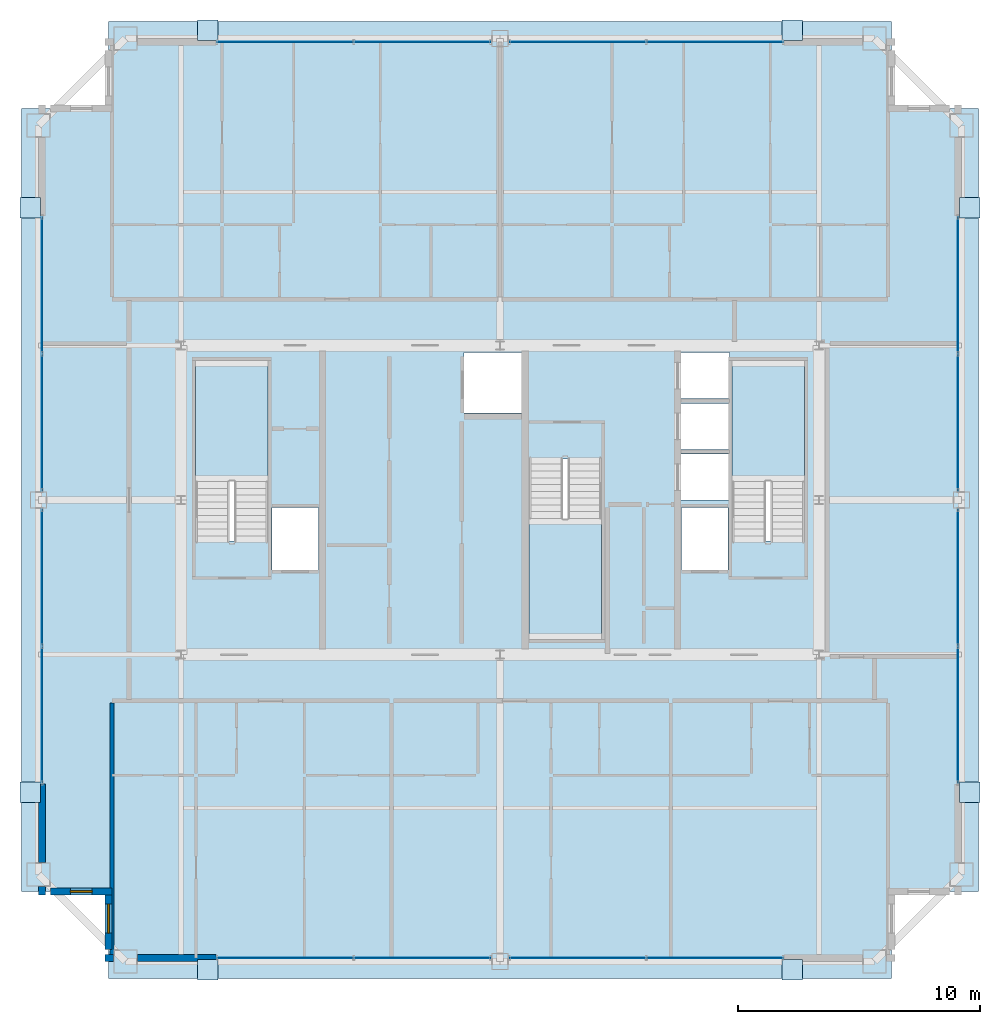
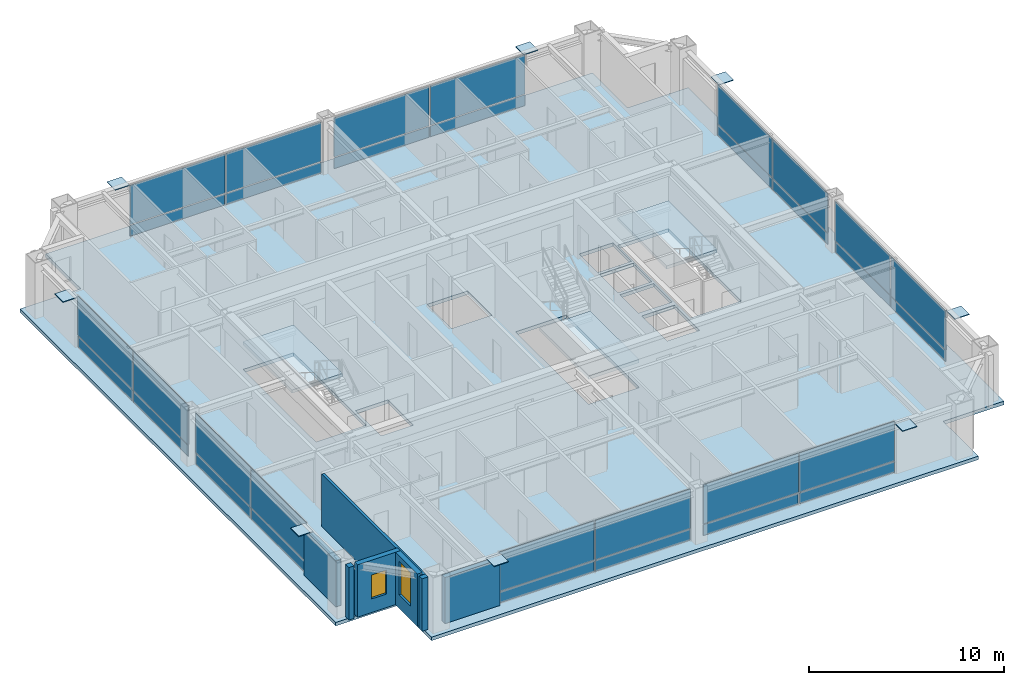
# One storey, part 29 of 35: 40 plates, 7 walls, 4 slabs, 2 windows, 2 openings, 11 elements without a shape of their own.
"""IFC4 building model written with IfcOpenShell, lengths in metres."""

from ifc_helpers import new_model, si_unit, direction, frame, frame_2d, origin, origin_2d, place, context, subcontext, project, spatial, polyline, rectangle, outline, extrude, source, transform, mapped, material, layer, layer_set, type_object, element, fill, aggregate, save


model = new_model("IFC4")

# Units and contexts
model_context = context("Model", 3, precision=1e-05, world=origin(), true_north=direction((0.0, 1.0)))
body_context = subcontext(model_context, "Body", "Model", "MODEL_VIEW")
ifc_project = project(units=[si_unit("LENGTHUNIT", "METRE"), si_unit("AREAUNIT", "SQUARE_METRE"), si_unit("VOLUMEUNIT", "CUBIC_METRE"), si_unit("PLANEANGLEUNIT", "RADIAN"), si_unit("MASSUNIT", "GRAM", prefix="KILO"), si_unit("THERMODYNAMICTEMPERATUREUNIT", "KELVIN"), si_unit("POWERUNIT", "WATT")], contexts=[model_context])

# Site, building, storey
site_placement = place(None, origin())
site = spatial("IfcSite", under=ifc_project, at=site_placement, CompositionType="ELEMENT")
building_placement = place(site_placement, origin())
building = spatial("IfcBuilding", under=site, at=building_placement, Name="Yuzanri Waterfront Tower", CompositionType="ELEMENT")
storey_placement = place(building_placement, frame((0.0, 0.0, 332.199951171875)))
storey = spatial("IfcBuildingStorey", under=building, at=storey_placement, Name="L89", CompositionType="ELEMENT", Elevation=332.199951171875)

# Stair, slab
ifc_material_1 = material(Name="Concrete C40", Category="concrete")
stair_type = type_object("IfcStairType", Name="Concrete C40 Core Dogleg Exit Stair", PredefinedType="HALF_TURN_STAIR", material=ifc_material_1)
stair_1_placement = place(storey_placement, origin())
stair_1 = element("IfcStair", 1, at=stair_1_placement, inside=storey, type_object=stair_type, Name="L89 Smoke-Proof Core Stair ST-01", PredefinedType="HALF_TURN_STAIR")
ifc_material_2 = material(Name="Concrete C40", Category="concrete")
ifc_layer_1 = layer(ifc_material_2, 0.179931640625)
ifc_layer_set_1 = layer_set([ifc_layer_1], Name="Concrete C40")
slab_type_1 = type_object("IfcSlabType", Name="Concrete C40 Stair Half-Landing Slab 180", PredefinedType="LANDING", material=ifc_layer_set_1)
slab_1_placement = place(storey_placement, frame((0.0, 0.0, 1.550048828125)))
slab_1 = element("IfcSlab", 2, at=slab_1_placement, type_object=slab_type_1, Name="ST-01 landing 1", PredefinedType="LANDING", context=body_context, shape_type="SweptSolid", body=[
    extrude(outline(polyline([(27.39990234375, 26.56005859375), (27.39990234375, 31.580078125), (24.39990234375, 31.580078125), (24.39990234375, 26.56005859375), (27.39990234375, 26.56005859375)])), origin(), (0.0, 0.0, 1.0), 0.199951171875),
])
aggregate(stair_1, [slab_1])

stair_2_placement = place(storey_placement, origin())
stair_2 = element("IfcStair", 3, at=stair_2_placement, inside=storey, type_object=stair_type, Name="L89 Smoke-Proof Core Stair ST-02", PredefinedType="HALF_TURN_STAIR")
slab_2_placement = place(storey_placement, frame((0.0, 0.0, 1.550048828125)))
slab_2 = element("IfcSlab", 4, at=slab_2_placement, type_object=slab_type_1, Name="ST-02 landing 1", PredefinedType="LANDING", context=body_context, shape_type="SweptSolid", body=[
    extrude(outline(polyline([(49.60009765625, 26.56005859375), (49.60009765625, 31.580078125), (46.60009765625, 31.580078125), (46.60009765625, 26.56005859375), (49.60009765625, 26.56005859375)])), origin(), (0.0, 0.0, 1.0), 0.199951171875),
])
aggregate(stair_2, [slab_2])

stair_3_placement = place(storey_placement, origin())
stair_3 = element("IfcStair", 5, at=stair_3_placement, inside=storey, type_object=stair_type, Name="L89 Smoke-Proof Core Stair ST-03", PredefinedType="HALF_TURN_STAIR")
slab_3_placement = place(storey_placement, frame((0.0, 0.0, 1.550048828125)))
slab_3 = element("IfcSlab", 6, at=slab_3_placement, type_object=slab_type_1, Name="ST-03 landing 1", PredefinedType="LANDING", context=body_context, shape_type="SweptSolid", body=[
    extrude(outline(polyline([(38.199951171875, 25.0400390625), (38.199951171875, 20.02001953125), (41.199951171875, 20.02001953125), (41.199951171875, 25.0400390625), (38.199951171875, 25.0400390625)])), origin(), (0.0, 0.0, 1.0), 0.199951171875),
])
aggregate(stair_3, [slab_3])

# Slab
ifc_material_3 = material(Name="Concrete C40", Category="concrete")
ifc_layer_2 = layer(ifc_material_3, 0.219970703125)
ifc_layer_set_2 = layer_set([ifc_layer_2], Name="Concrete C40")
slab_type_2 = type_object("IfcSlabType", Name="Concrete C40 Tower Typical Structural Floor Slab 220", PredefinedType="FLOOR", material=ifc_layer_set_2)
slab_4_placement = place(storey_placement, frame((0.0, 0.0, -0.219970703125)))
element("IfcSlab", 7, at=slab_4_placement, inside=storey, type_object=slab_type_2, Name="L89 Main Structural Floor Slab", PredefinedType="FLOOR", context=body_context, shape_type="SweptSolid", body=[
    extrude(outline(polyline([(20.800048828125, 6.0), (53.199951171875, 6.0), (53.199951171875, 9.60009765625), (56.800048828125, 9.60009765625), (56.800048828125, 42.0), (53.199951171875, 42.0), (53.199951171875, 45.60009765625), (20.800048828125, 45.60009765625), (20.800048828125, 42.0), (17.199951171875, 42.0), (17.199951171875, 9.60009765625), (20.800048828125, 9.60009765625), (20.800048828125, 6.0)]), holes=[polyline([(27.39990234375, 24.10009765625), (27.39990234375, 31.580078125), (24.39990234375, 31.580078125), (24.39990234375, 24.10009765625), (27.39990234375, 24.10009765625)]), polyline([(49.60009765625, 24.10009765625), (49.60009765625, 31.580078125), (46.60009765625, 31.580078125), (46.60009765625, 24.10009765625), (49.60009765625, 24.10009765625)]), polyline([(38.199951171875, 27.5), (38.199951171875, 20.02001953125), (41.199951171875, 20.02001953125), (41.199951171875, 27.5), (38.199951171875, 27.5)]), polyline([(27.56005859375, 22.89990234375), (29.47998046875, 22.89990234375), (29.47998046875, 25.5), (27.56005859375, 25.5), (27.56005859375, 22.89990234375)]), polyline([(44.52001953125, 22.89990234375), (46.43994140625, 22.89990234375), (46.43994140625, 25.5), (44.52001953125, 25.5), (44.52001953125, 22.89990234375)]), polyline([(35.5, 29.39990234375), (37.89990234375, 29.39990234375), (37.89990234375, 31.89990234375), (35.5, 31.89990234375), (35.5, 29.39990234375)]), polyline([(44.5, 25.800048828125), (46.5, 25.800048828125), (46.5, 27.699951171875), (44.5, 27.699951171875), (44.5, 25.800048828125)]), polyline([(44.5, 27.89990234375), (46.5, 27.89990234375), (46.5, 29.800048828125), (44.5, 29.800048828125), (44.5, 27.89990234375)]), polyline([(44.5, 30.0), (46.5, 30.0), (46.5, 31.89990234375), (44.5, 31.89990234375), (44.5, 30.0)])]), origin(), (0.0, 0.0, 1.0), 0.219970703125),
])

# Plates
ifc_material_4 = material(Name="Steel Q420GJC", Category="steel")
ifc_layer_3 = layer(ifc_material_4, 0.0400390625)
ifc_layer_set_3 = layer_set([ifc_layer_3], Name="Steel Q420GJC")
plate_type_1 = type_object("IfcPlateType", Name="Steel Q420GJC Mega-Brace Gusset and End-Cap Plate 40", PredefinedType="SHEET", material=ifc_layer_set_3)
shared_shape_1 = source(origin(), body_context, "Body", "SweptSolid", [
    extrude(rectangle(XDim=0.85009765625, YDim=0.85009765625, at=origin_2d()), origin(), (0.0, 0.0, 1.0), 0.0400390625),
])
for number, where, z_axis, x_axis, name in (
    (8, (24.89990234375, 6.360107421875, 3.159912109375), (0.0, 0.0, 1.0), (1.0, 0.0, 0.0), "L89 Mega-Brace Apex Cap Plate S-L"),
    (9, (49.10009765625, 6.360107421875, 3.159912109375), (0.0, 0.0, 1.0), (1.0, 0.0, 0.0), "L89 Mega-Brace Apex Cap Plate S-R"),
    (10, (24.89990234375, 45.239990234375, 3.159912109375), (0.0, 0.0, 1.0), (1.0, 0.0, 0.0), "L89 Mega-Brace Apex Cap Plate N-L"),
    (11, (49.10009765625, 45.239990234375, 3.159912109375), (0.0, 0.0, 1.0), (1.0, 0.0, 0.0), "L89 Mega-Brace Apex Cap Plate N-R"),
    (12, (17.56005859375, 13.699951171875, 3.159912109375), (0.0, 0.0, 1.0), (1.0, 0.0, 0.0), "L89 Mega-Brace Apex Cap Plate W-L"),
    (13, (17.56005859375, 37.89990234375, 3.159912109375), (0.0, 0.0, 1.0), (1.0, 0.0, 0.0), "L89 Mega-Brace Apex Cap Plate W-R"),
    (14, (56.43994140625, 13.699951171875, 3.159912109375), (0.0, 0.0, 1.0), (1.0, 0.0, 0.0), "L89 Mega-Brace Apex Cap Plate E-L"),
    (15, (56.43994140625, 37.89990234375, 3.159912109375), (0.0, 0.0, 1.0), (1.0, 0.0, 0.0), "L89 Mega-Brace Apex Cap Plate E-R"),
):
    element("IfcPlate", number, at=place(storey_placement, frame(where, z_axis=z_axis, x_axis=x_axis)), inside=storey, type_object=plate_type_1, Name=name, PredefinedType="SHEET", context=body_context, shape_type="MappedRepresentation", body=[
        mapped(shared_shape_1, transform((0.0, 0.0, 0.0), scale=1.0)),
    ])

# Curtain wall, plates
ifc_material_5 = material(Name="Anodized Architectural Bronze", Category="metal")
ifc_layer_4 = layer(ifc_material_5, 0.159912109375)
ifc_layer_set_4 = layer_set([ifc_layer_4], Name="Anodized Architectural Bronze")
curtain_wall_type = type_object("IfcCurtainWallType", Name="Anodized Bronze High-Rise Penthouse High-Wind Unitized Curtain Wall 6900", PredefinedType="NOTDEFINED", material=ifc_layer_set_4)
curtain_wall_1_placement = place(storey_placement, origin())
curtain_wall_1 = element("IfcCurtainWall", 16, at=curtain_wall_1_placement, inside=storey, type_object=curtain_wall_type, Name="L89 Curtain Wall CW-L89-SL", PredefinedType="NOTDEFINED")
ifc_material_6 = material(Name="Anodized Architectural Bronze", Category="metal")
ifc_layer_5 = layer(ifc_material_6, 0.028076171875)
ifc_layer_set_5 = layer_set([ifc_layer_5], Name="Anodized Architectural Bronze")
plate_type_2 = type_object("IfcPlateType", Name="Bronze Insulated Spandrel Shadow-Box Panel 28", PredefinedType="CURTAIN_PANEL", material=ifc_layer_set_5)
shared_shape_2 = source(origin(), body_context, "Body", "SweptSolid", [
    extrude(rectangle(XDim=5.6201171875, YDim=0.028076171875, at=origin_2d()), origin(), (0.0, 0.0, 1.0), 0.674072265625),
])
plate_1_placement = place(storey_placement, frame((28.10009765625, 6.85009765625, 0.0498046875), z_axis=(0.0, 0.0, 1.0), x_axis=(1.0, 0.0, 0.0)))
plate_1 = element("IfcPlate", 17, at=plate_1_placement, type_object=plate_type_2, Name="CW-L89-SL Spandrel Panel 01", PredefinedType="CURTAIN_PANEL", context=body_context, shape_type="MappedRepresentation", body=[
    mapped(shared_shape_2, transform((0.0, 0.0, 0.0), scale=1.0)),
])
plate_2_placement = place(storey_placement, frame((33.800048828125, 6.85009765625, 0.0498046875), z_axis=(0.0, 0.0, 1.0), x_axis=(1.0, 0.0, 0.0)))
plate_2 = element("IfcPlate", 18, at=plate_2_placement, type_object=plate_type_2, Name="CW-L89-SL Spandrel Panel 02", PredefinedType="CURTAIN_PANEL", context=body_context, shape_type="MappedRepresentation", body=[
    mapped(shared_shape_2, transform((0.0, 0.0, 0.0), scale=1.0)),
])

curtain_wall_2_placement = place(storey_placement, origin())
curtain_wall_2 = element("IfcCurtainWall", 19, at=curtain_wall_2_placement, inside=storey, type_object=curtain_wall_type, Name="L89 Curtain Wall CW-L89-SR", PredefinedType="NOTDEFINED")
plate_3_placement = place(storey_placement, frame((40.199951171875, 6.85009765625, 0.0498046875), z_axis=(0.0, 0.0, 1.0), x_axis=(1.0, 0.0, 0.0)))
plate_3 = element("IfcPlate", 20, at=plate_3_placement, type_object=plate_type_2, Name="CW-L89-SR Spandrel Panel 01", PredefinedType="CURTAIN_PANEL", context=body_context, shape_type="MappedRepresentation", body=[
    mapped(shared_shape_2, transform((0.0, 0.0, 0.0), scale=1.0)),
])
plate_4_placement = place(storey_placement, frame((45.89990234375, 6.85009765625, 0.0498046875), z_axis=(0.0, 0.0, 1.0), x_axis=(1.0, 0.0, 0.0)))
plate_4 = element("IfcPlate", 21, at=plate_4_placement, type_object=plate_type_2, Name="CW-L89-SR Spandrel Panel 02", PredefinedType="CURTAIN_PANEL", context=body_context, shape_type="MappedRepresentation", body=[
    mapped(shared_shape_2, transform((0.0, 0.0, 0.0), scale=1.0)),
])

curtain_wall_3_placement = place(storey_placement, origin())
curtain_wall_3 = element("IfcCurtainWall", 22, at=curtain_wall_3_placement, inside=storey, type_object=curtain_wall_type, Name="L89 Curtain Wall CW-L89-NL", PredefinedType="NOTDEFINED")
plate_5_placement = place(storey_placement, frame((28.10009765625, 44.75, 0.0498046875), z_axis=(0.0, 0.0, 1.0), x_axis=(1.0, 0.0, 0.0)))
plate_5 = element("IfcPlate", 23, at=plate_5_placement, type_object=plate_type_2, Name="CW-L89-NL Spandrel Panel 01", PredefinedType="CURTAIN_PANEL", context=body_context, shape_type="MappedRepresentation", body=[
    mapped(shared_shape_2, transform((0.0, 0.0, 0.0), scale=1.0)),
])
plate_6_placement = place(storey_placement, frame((33.800048828125, 44.75, 0.0498046875), z_axis=(0.0, 0.0, 1.0), x_axis=(1.0, 0.0, 0.0)))
plate_6 = element("IfcPlate", 24, at=plate_6_placement, type_object=plate_type_2, Name="CW-L89-NL Spandrel Panel 02", PredefinedType="CURTAIN_PANEL", context=body_context, shape_type="MappedRepresentation", body=[
    mapped(shared_shape_2, transform((0.0, 0.0, 0.0), scale=1.0)),
])

curtain_wall_4_placement = place(storey_placement, origin())
curtain_wall_4 = element("IfcCurtainWall", 25, at=curtain_wall_4_placement, inside=storey, type_object=curtain_wall_type, Name="L89 Curtain Wall CW-L89-NR", PredefinedType="NOTDEFINED")
plate_7_placement = place(storey_placement, frame((40.199951171875, 44.75, 0.0498046875), z_axis=(0.0, 0.0, 1.0), x_axis=(1.0, 0.0, 0.0)))
plate_7 = element("IfcPlate", 26, at=plate_7_placement, type_object=plate_type_2, Name="CW-L89-NR Spandrel Panel 01", PredefinedType="CURTAIN_PANEL", context=body_context, shape_type="MappedRepresentation", body=[
    mapped(shared_shape_2, transform((0.0, 0.0, 0.0), scale=1.0)),
])
plate_8_placement = place(storey_placement, frame((45.89990234375, 44.75, 0.0498046875), z_axis=(0.0, 0.0, 1.0), x_axis=(1.0, 0.0, 0.0)))
plate_8 = element("IfcPlate", 27, at=plate_8_placement, type_object=plate_type_2, Name="CW-L89-NR Spandrel Panel 02", PredefinedType="CURTAIN_PANEL", context=body_context, shape_type="MappedRepresentation", body=[
    mapped(shared_shape_2, transform((0.0, 0.0, 0.0), scale=1.0)),
])

curtain_wall_5_placement = place(storey_placement, origin())
curtain_wall_5 = element("IfcCurtainWall", 28, at=curtain_wall_5_placement, inside=storey, type_object=curtain_wall_type, Name="L89 Curtain Wall CW-L89-WL", PredefinedType="NOTDEFINED")
plate_9_placement = place(storey_placement, frame((18.050048828125, 16.89990234375, 0.0498046875), z_axis=(0.0, 0.0, 1.0), x_axis=(0.0, 1.0, 0.0)))
plate_9 = element("IfcPlate", 29, at=plate_9_placement, type_object=plate_type_2, Name="CW-L89-WL Spandrel Panel 01", PredefinedType="CURTAIN_PANEL", context=body_context, shape_type="MappedRepresentation", body=[
    mapped(shared_shape_2, transform((0.0, 0.0, 0.0), scale=1.0)),
])
plate_10_placement = place(storey_placement, frame((18.050048828125, 22.60009765625, 0.0498046875), z_axis=(0.0, 0.0, 1.0), x_axis=(0.0, 1.0, 0.0)))
plate_10 = element("IfcPlate", 30, at=plate_10_placement, type_object=plate_type_2, Name="CW-L89-WL Spandrel Panel 02", PredefinedType="CURTAIN_PANEL", context=body_context, shape_type="MappedRepresentation", body=[
    mapped(shared_shape_2, transform((0.0, 0.0, 0.0), scale=1.0)),
])

curtain_wall_6_placement = place(storey_placement, origin())
curtain_wall_6 = element("IfcCurtainWall", 31, at=curtain_wall_6_placement, inside=storey, type_object=curtain_wall_type, Name="L89 Curtain Wall CW-L89-WR", PredefinedType="NOTDEFINED")
plate_11_placement = place(storey_placement, frame((18.050048828125, 29.0, 0.0498046875), z_axis=(0.0, 0.0, 1.0), x_axis=(0.0, 1.0, 0.0)))
plate_11 = element("IfcPlate", 32, at=plate_11_placement, type_object=plate_type_2, Name="CW-L89-WR Spandrel Panel 01", PredefinedType="CURTAIN_PANEL", context=body_context, shape_type="MappedRepresentation", body=[
    mapped(shared_shape_2, transform((0.0, 0.0, 0.0), scale=1.0)),
])
plate_12_placement = place(storey_placement, frame((18.050048828125, 34.699951171875, 0.0498046875), z_axis=(0.0, 0.0, 1.0), x_axis=(0.0, 1.0, 0.0)))
plate_12 = element("IfcPlate", 33, at=plate_12_placement, type_object=plate_type_2, Name="CW-L89-WR Spandrel Panel 02", PredefinedType="CURTAIN_PANEL", context=body_context, shape_type="MappedRepresentation", body=[
    mapped(shared_shape_2, transform((0.0, 0.0, 0.0), scale=1.0)),
])

curtain_wall_7_placement = place(storey_placement, origin())
curtain_wall_7 = element("IfcCurtainWall", 34, at=curtain_wall_7_placement, inside=storey, type_object=curtain_wall_type, Name="L89 Curtain Wall CW-L89-EL", PredefinedType="NOTDEFINED")
plate_13_placement = place(storey_placement, frame((55.949951171875, 16.89990234375, 0.0498046875), z_axis=(0.0, 0.0, 1.0), x_axis=(0.0, 1.0, 0.0)))
plate_13 = element("IfcPlate", 35, at=plate_13_placement, type_object=plate_type_2, Name="CW-L89-EL Spandrel Panel 01", PredefinedType="CURTAIN_PANEL", context=body_context, shape_type="MappedRepresentation", body=[
    mapped(shared_shape_2, transform((0.0, 0.0, 0.0), scale=1.0)),
])
plate_14_placement = place(storey_placement, frame((55.949951171875, 22.60009765625, 0.0498046875), z_axis=(0.0, 0.0, 1.0), x_axis=(0.0, 1.0, 0.0)))
plate_14 = element("IfcPlate", 36, at=plate_14_placement, type_object=plate_type_2, Name="CW-L89-EL Spandrel Panel 02", PredefinedType="CURTAIN_PANEL", context=body_context, shape_type="MappedRepresentation", body=[
    mapped(shared_shape_2, transform((0.0, 0.0, 0.0), scale=1.0)),
])

curtain_wall_8_placement = place(storey_placement, origin())
curtain_wall_8 = element("IfcCurtainWall", 37, at=curtain_wall_8_placement, inside=storey, type_object=curtain_wall_type, Name="L89 Curtain Wall CW-L89-ER", PredefinedType="NOTDEFINED")
plate_15_placement = place(storey_placement, frame((55.949951171875, 29.0, 0.0498046875), z_axis=(0.0, 0.0, 1.0), x_axis=(0.0, 1.0, 0.0)))
plate_15 = element("IfcPlate", 38, at=plate_15_placement, type_object=plate_type_2, Name="CW-L89-ER Spandrel Panel 01", PredefinedType="CURTAIN_PANEL", context=body_context, shape_type="MappedRepresentation", body=[
    mapped(shared_shape_2, transform((0.0, 0.0, 0.0), scale=1.0)),
])
plate_16_placement = place(storey_placement, frame((55.949951171875, 34.699951171875, 0.0498046875), z_axis=(0.0, 0.0, 1.0), x_axis=(0.0, 1.0, 0.0)))
plate_16 = element("IfcPlate", 39, at=plate_16_placement, type_object=plate_type_2, Name="CW-L89-ER Spandrel Panel 02", PredefinedType="CURTAIN_PANEL", context=body_context, shape_type="MappedRepresentation", body=[
    mapped(shared_shape_2, transform((0.0, 0.0, 0.0), scale=1.0)),
])

# Plate
ifc_material_7 = material(Name="Triple Low-E Laminated Insulated Glass", Category="glass")
ifc_layer_6 = layer(ifc_material_7, 0.0439453125)
ifc_layer_set_6 = layer_set([ifc_layer_6], Name="Triple Low-E Laminated Insulated Glass")
plate_type_3 = type_object("IfcPlateType", Name="Triple Glazed Acoustic Vision Glass Panel 44", PredefinedType="CURTAIN_PANEL", material=ifc_layer_set_6)
shared_shape_3 = source(origin(), body_context, "Body", "SweptSolid", [
    extrude(rectangle(XDim=5.6201171875, YDim=0.0439453125, at=origin_2d()), origin(), (0.0, 0.0, 1.0), 2.446044921875),
])
plate_17_placement = place(storey_placement, frame((28.10009765625, 6.85009765625, 0.7841796875), z_axis=(0.0, 0.0, 1.0), x_axis=(1.0, 0.0, 0.0)))
plate_17 = element("IfcPlate", 40, at=plate_17_placement, type_object=plate_type_3, Name="CW-L89-SL Vision Glass Panel 01", PredefinedType="CURTAIN_PANEL", context=body_context, shape_type="MappedRepresentation", body=[
    mapped(shared_shape_3, transform((0.0, 0.0, 0.0), scale=1.0)),
])

plate_18_placement = place(storey_placement, frame((33.800048828125, 6.85009765625, 0.7841796875), z_axis=(0.0, 0.0, 1.0), x_axis=(1.0, 0.0, 0.0)))
plate_18 = element("IfcPlate", 41, at=plate_18_placement, type_object=plate_type_3, Name="CW-L89-SL Vision Glass Panel 02", PredefinedType="CURTAIN_PANEL", context=body_context, shape_type="MappedRepresentation", body=[
    mapped(shared_shape_3, transform((0.0, 0.0, 0.0), scale=1.0)),
])

aggregate(curtain_wall_1, [plate_1, plate_17, plate_2, plate_18])

plate_19_placement = place(storey_placement, frame((40.199951171875, 6.85009765625, 0.7841796875), z_axis=(0.0, 0.0, 1.0), x_axis=(1.0, 0.0, 0.0)))
plate_19 = element("IfcPlate", 42, at=plate_19_placement, type_object=plate_type_3, Name="CW-L89-SR Vision Glass Panel 01", PredefinedType="CURTAIN_PANEL", context=body_context, shape_type="MappedRepresentation", body=[
    mapped(shared_shape_3, transform((0.0, 0.0, 0.0), scale=1.0)),
])

plate_20_placement = place(storey_placement, frame((45.89990234375, 6.85009765625, 0.7841796875), z_axis=(0.0, 0.0, 1.0), x_axis=(1.0, 0.0, 0.0)))
plate_20 = element("IfcPlate", 43, at=plate_20_placement, type_object=plate_type_3, Name="CW-L89-SR Vision Glass Panel 02", PredefinedType="CURTAIN_PANEL", context=body_context, shape_type="MappedRepresentation", body=[
    mapped(shared_shape_3, transform((0.0, 0.0, 0.0), scale=1.0)),
])

aggregate(curtain_wall_2, [plate_3, plate_19, plate_4, plate_20])

plate_21_placement = place(storey_placement, frame((28.10009765625, 44.75, 0.7841796875), z_axis=(0.0, 0.0, 1.0), x_axis=(1.0, 0.0, 0.0)))
plate_21 = element("IfcPlate", 44, at=plate_21_placement, type_object=plate_type_3, Name="CW-L89-NL Vision Glass Panel 01", PredefinedType="CURTAIN_PANEL", context=body_context, shape_type="MappedRepresentation", body=[
    mapped(shared_shape_3, transform((0.0, 0.0, 0.0), scale=1.0)),
])

plate_22_placement = place(storey_placement, frame((33.800048828125, 44.75, 0.7841796875), z_axis=(0.0, 0.0, 1.0), x_axis=(1.0, 0.0, 0.0)))
plate_22 = element("IfcPlate", 45, at=plate_22_placement, type_object=plate_type_3, Name="CW-L89-NL Vision Glass Panel 02", PredefinedType="CURTAIN_PANEL", context=body_context, shape_type="MappedRepresentation", body=[
    mapped(shared_shape_3, transform((0.0, 0.0, 0.0), scale=1.0)),
])

aggregate(curtain_wall_3, [plate_5, plate_21, plate_6, plate_22])

plate_23_placement = place(storey_placement, frame((40.199951171875, 44.75, 0.7841796875), z_axis=(0.0, 0.0, 1.0), x_axis=(1.0, 0.0, 0.0)))
plate_23 = element("IfcPlate", 46, at=plate_23_placement, type_object=plate_type_3, Name="CW-L89-NR Vision Glass Panel 01", PredefinedType="CURTAIN_PANEL", context=body_context, shape_type="MappedRepresentation", body=[
    mapped(shared_shape_3, transform((0.0, 0.0, 0.0), scale=1.0)),
])

plate_24_placement = place(storey_placement, frame((45.89990234375, 44.75, 0.7841796875), z_axis=(0.0, 0.0, 1.0), x_axis=(1.0, 0.0, 0.0)))
plate_24 = element("IfcPlate", 47, at=plate_24_placement, type_object=plate_type_3, Name="CW-L89-NR Vision Glass Panel 02", PredefinedType="CURTAIN_PANEL", context=body_context, shape_type="MappedRepresentation", body=[
    mapped(shared_shape_3, transform((0.0, 0.0, 0.0), scale=1.0)),
])

aggregate(curtain_wall_4, [plate_7, plate_23, plate_8, plate_24])

plate_25_placement = place(storey_placement, frame((18.050048828125, 16.89990234375, 0.7841796875), z_axis=(0.0, 0.0, 1.0), x_axis=(0.0, 1.0, 0.0)))
plate_25 = element("IfcPlate", 48, at=plate_25_placement, type_object=plate_type_3, Name="CW-L89-WL Vision Glass Panel 01", PredefinedType="CURTAIN_PANEL", context=body_context, shape_type="MappedRepresentation", body=[
    mapped(shared_shape_3, transform((0.0, 0.0, 0.0), scale=1.0)),
])

plate_26_placement = place(storey_placement, frame((18.050048828125, 22.60009765625, 0.7841796875), z_axis=(0.0, 0.0, 1.0), x_axis=(0.0, 1.0, 0.0)))
plate_26 = element("IfcPlate", 49, at=plate_26_placement, type_object=plate_type_3, Name="CW-L89-WL Vision Glass Panel 02", PredefinedType="CURTAIN_PANEL", context=body_context, shape_type="MappedRepresentation", body=[
    mapped(shared_shape_3, transform((0.0, 0.0, 0.0), scale=1.0)),
])

aggregate(curtain_wall_5, [plate_9, plate_25, plate_10, plate_26])

plate_27_placement = place(storey_placement, frame((18.050048828125, 29.0, 0.7841796875), z_axis=(0.0, 0.0, 1.0), x_axis=(0.0, 1.0, 0.0)))
plate_27 = element("IfcPlate", 50, at=plate_27_placement, type_object=plate_type_3, Name="CW-L89-WR Vision Glass Panel 01", PredefinedType="CURTAIN_PANEL", context=body_context, shape_type="MappedRepresentation", body=[
    mapped(shared_shape_3, transform((0.0, 0.0, 0.0), scale=1.0)),
])

plate_28_placement = place(storey_placement, frame((18.050048828125, 34.699951171875, 0.7841796875), z_axis=(0.0, 0.0, 1.0), x_axis=(0.0, 1.0, 0.0)))
plate_28 = element("IfcPlate", 51, at=plate_28_placement, type_object=plate_type_3, Name="CW-L89-WR Vision Glass Panel 02", PredefinedType="CURTAIN_PANEL", context=body_context, shape_type="MappedRepresentation", body=[
    mapped(shared_shape_3, transform((0.0, 0.0, 0.0), scale=1.0)),
])

aggregate(curtain_wall_6, [plate_11, plate_27, plate_12, plate_28])

plate_29_placement = place(storey_placement, frame((55.949951171875, 16.89990234375, 0.7841796875), z_axis=(0.0, 0.0, 1.0), x_axis=(0.0, 1.0, 0.0)))
plate_29 = element("IfcPlate", 52, at=plate_29_placement, type_object=plate_type_3, Name="CW-L89-EL Vision Glass Panel 01", PredefinedType="CURTAIN_PANEL", context=body_context, shape_type="MappedRepresentation", body=[
    mapped(shared_shape_3, transform((0.0, 0.0, 0.0), scale=1.0)),
])

plate_30_placement = place(storey_placement, frame((55.949951171875, 22.60009765625, 0.7841796875), z_axis=(0.0, 0.0, 1.0), x_axis=(0.0, 1.0, 0.0)))
plate_30 = element("IfcPlate", 53, at=plate_30_placement, type_object=plate_type_3, Name="CW-L89-EL Vision Glass Panel 02", PredefinedType="CURTAIN_PANEL", context=body_context, shape_type="MappedRepresentation", body=[
    mapped(shared_shape_3, transform((0.0, 0.0, 0.0), scale=1.0)),
])

aggregate(curtain_wall_7, [plate_13, plate_29, plate_14, plate_30])

plate_31_placement = place(storey_placement, frame((55.949951171875, 29.0, 0.7841796875), z_axis=(0.0, 0.0, 1.0), x_axis=(0.0, 1.0, 0.0)))
plate_31 = element("IfcPlate", 54, at=plate_31_placement, type_object=plate_type_3, Name="CW-L89-ER Vision Glass Panel 01", PredefinedType="CURTAIN_PANEL", context=body_context, shape_type="MappedRepresentation", body=[
    mapped(shared_shape_3, transform((0.0, 0.0, 0.0), scale=1.0)),
])

plate_32_placement = place(storey_placement, frame((55.949951171875, 34.699951171875, 0.7841796875), z_axis=(0.0, 0.0, 1.0), x_axis=(0.0, 1.0, 0.0)))
plate_32 = element("IfcPlate", 55, at=plate_32_placement, type_object=plate_type_3, Name="CW-L89-ER Vision Glass Panel 02", PredefinedType="CURTAIN_PANEL", context=body_context, shape_type="MappedRepresentation", body=[
    mapped(shared_shape_3, transform((0.0, 0.0, 0.0), scale=1.0)),
])

aggregate(curtain_wall_8, [plate_15, plate_31, plate_16, plate_32])

# Wall, opening, window
ifc_material_8 = material(Name="Honed Chongqing Dark Basalt Stone", Category="masonry")
ifc_layer_7 = layer(ifc_material_8, 0.300048828125)
ifc_layer_set_7 = layer_set([ifc_layer_7], Name="Honed Chongqing Dark Basalt Stone")
wall_type_1 = type_object("IfcWallType", Name="Bronze Rainscreen Insulated Spandrel Portal Wall 300", PredefinedType="SOLIDWALL", material=ifc_layer_set_7)
wall_1_placement = place(storey_placement, frame((18.39990234375, 9.60009765625, 0.0), z_axis=(0.0, 0.0, 1.0), x_axis=(1.0, 0.0, 0.0)))
wall_1 = element("IfcWall", 56, at=wall_1_placement, inside=storey, type_object=wall_type_1, Name="L89 Notched Corner Masonry Wall SW-X", PredefinedType="SOLIDWALL", context=body_context, shape_type="SweptSolid", body=[
    extrude(rectangle(XDim=2.550048828125, YDim=0.300048828125, at=frame_2d((1.27490234375, 0.0))), origin(), (0.0, 0.0, 1.0), 3.280029296875),
])
opening_1_placement = place(wall_1_placement, frame((0.824951171875, 0.0, 0.85009765625)))
opening_1 = element("IfcOpeningElement", 57, at=opening_1_placement, cuts=wall_1, Name="Opening WN-05", PredefinedType="OPENING", context=body_context, shape_type="SweptSolid", body=[
    extrude(rectangle(XDim=0.89990234375, YDim=1.5, at=frame_2d((0.449951171875, 0.75))), frame((0.0, 0.1650390625, 0.0), z_axis=(0.0, -1.0, 0.0), x_axis=(1.0, 0.0, 0.0)), (0.0, 0.0, 1.0), 0.329833984375),
])
ifc_material_9 = material(Name="Double-Silver Low-E Insulated Glass", Category="glass")
window_type_1 = type_object("IfcWindowType", Name="Anodized Bronze Service and Stairwell Smoke-Vent Window 900x1500", PartitioningType="SINGLE_PANEL", PredefinedType="WINDOW", material=ifc_material_9)
shared_shape_4 = source(origin(), body_context, "Body", "SweptSolid", [
    extrude(rectangle(XDim=0.89990234375, YDim=1.5, at=frame_2d((0.449951171875, 0.75))), frame((0.0, 0.030029296875, 0.0), z_axis=(0.0, -1.0, 0.0), x_axis=(1.0, 0.0, 0.0)), (0.0, 0.0, 1.0), 0.06005859375),
])
window_1_placement = place(opening_1_placement, origin())
window_1 = element("IfcWindow", 58, at=window_1_placement, inside=storey, type_object=window_type_1, Name="L89 Notched Corner Window SW-X", OverallHeight=1.5, OverallWidth=0.89990234375, PartitioningType="SINGLE_PANEL", PredefinedType="WINDOW", context=body_context, shape_type="MappedRepresentation", body=[
    mapped(shared_shape_4, transform((0.0, 0.0, 0.0), scale=1.0)),
])
fill(opening_1, window_1)

wall_2_placement = place(storey_placement, frame((20.800048828125, 9.75, 0.0), z_axis=(0.0, 0.0, 1.0), x_axis=(0.0, -1.0, 0.0)))
wall_2 = element("IfcWall", 59, at=wall_2_placement, inside=storey, type_object=wall_type_1, Name="L89 Notched Corner Masonry Wall SW-Y", PredefinedType="SOLIDWALL", context=body_context, shape_type="SweptSolid", body=[
    extrude(rectangle(XDim=2.550048828125, YDim=0.300048828125, at=frame_2d((1.27490234375, 0.0))), origin(), (0.0, 0.0, 1.0), 3.280029296875),
])
opening_2_placement = place(wall_2_placement, frame((0.675048828125, 0.0, 0.85009765625)))
opening_2 = element("IfcOpeningElement", 60, at=opening_2_placement, cuts=wall_2, Name="Opening WN-02", PredefinedType="OPENING", context=body_context, shape_type="SweptSolid", body=[
    extrude(rectangle(XDim=1.199951171875, YDim=2.10009765625, at=frame_2d((0.60009765625, 1.050048828125))), frame((0.0, 0.1650390625, 0.0), z_axis=(0.0, -1.0, 0.0), x_axis=(1.0, 0.0, 0.0)), (0.0, 0.0, 1.0), 0.329833984375),
])
ifc_material_10 = material(Name="Double-Silver Low-E Insulated Glass", Category="glass")
window_type_2 = type_object("IfcWindowType", Name="Anodized Bronze Notched Corner Deep-Set Slot Window 1200x2100", PartitioningType="SINGLE_PANEL", PredefinedType="WINDOW", material=ifc_material_10)
shared_shape_5 = source(origin(), body_context, "Body", "SweptSolid", [
    extrude(rectangle(XDim=1.199951171875, YDim=2.10009765625, at=frame_2d((0.60009765625, 1.050048828125))), frame((0.0, 0.030029296875, 0.0), z_axis=(0.0, -1.0, 0.0), x_axis=(1.0, 0.0, 0.0)), (0.0, 0.0, 1.0), 0.06005859375),
])
window_2_placement = place(opening_2_placement, origin())
window_2 = element("IfcWindow", 61, at=window_2_placement, inside=storey, type_object=window_type_2, Name="L89 Notched Corner Window SW-Y", OverallHeight=2.10009765625, OverallWidth=1.199951171875, PartitioningType="SINGLE_PANEL", PredefinedType="WINDOW", context=body_context, shape_type="MappedRepresentation", body=[
    mapped(shared_shape_5, transform((0.0, 0.0, 0.0), scale=1.0)),
])
fill(opening_2, window_2)

# Walls
shared_shape_6 = source(origin(), body_context, "Body", "SweptSolid", [
    extrude(rectangle(XDim=3.25, YDim=0.300048828125, at=frame_2d((1.625, 0.0))), origin(), (0.0, 0.0, 1.0), 2.885009765625),
])
for number, where, z_axis, x_axis, name in (
    (62, (22.0, 6.85009765625, 0.0), (0.0, 0.0, 1.0), (1.0, 0.0, 0.0), "L89 S Left Braced Masonry Shoulder"),
    (63, (18.050048828125, 10.800048828125, 0.0), (0.0, 0.0, 1.0), (0.0, 1.0, 0.0), "L89 W Left Braced Masonry Shoulder"),
):
    element("IfcWall", number, at=place(storey_placement, frame(where, z_axis=z_axis, x_axis=x_axis)), inside=storey, type_object=wall_type_1, Name=name, PredefinedType="SOLIDWALL", context=body_context, shape_type="MappedRepresentation", body=[
        mapped(shared_shape_6, transform((0.0, 0.0, 0.0), scale=1.0)),
    ])
shared_shape_7 = source(origin(), body_context, "Body", "SweptSolid", [
    extrude(rectangle(XDim=0.35009765625, YDim=0.300048828125, at=frame_2d((0.175048828125, 0.0))), origin(), (0.0, 0.0, 1.0), 3.280029296875),
])
for number, where, z_axis, x_axis, name in (
    (64, (20.64990234375, 6.85009765625, 0.0), (0.0, 0.0, 1.0), (1.0, 0.0, 0.0), "L89 Corner Column Shoulder Return CSW"),
    (65, (18.050048828125, 9.449951171875, 0.0), (0.0, 0.0, 1.0), (0.0, 1.0, 0.0), "L89 Corner Column Shoulder Return CWS"),
):
    element("IfcWall", number, at=place(storey_placement, frame(where, z_axis=z_axis, x_axis=x_axis)), inside=storey, type_object=wall_type_1, Name=name, PredefinedType="SOLIDWALL", context=body_context, shape_type="MappedRepresentation", body=[
        mapped(shared_shape_7, transform((0.0, 0.0, 0.0), scale=1.0)),
    ])
ifc_material_11 = material(Name="Gypsum Fireboard Acoustic Stud Wall", Category="gypsum")
ifc_layer_8 = layer(ifc_material_11, 0.159912109375)
ifc_layer_set_8 = layer_set([ifc_layer_8], Name="Gypsum Fireboard Acoustic Stud Wall")
wall_type_2 = type_object("IfcWallType", Name="Acoustic Suite Demising Partition 160", PredefinedType="PARTITIONING", material=ifc_layer_set_8)
shared_shape_8 = source(origin(), body_context, "Body", "SweptSolid", [
    extrude(rectangle(XDim=10.389892578125, YDim=0.159912109375, at=frame_2d((5.19482421875, 0.0))), origin(), (0.0, 0.0, 1.0), 3.280029296875),
])
wall_3_placement = place(storey_placement, frame((20.949951171875, 7.0, 0.0), z_axis=(0.0, 0.0, 1.0), x_axis=(0.0, 1.0, 0.0)))
element("IfcWall", 66, at=wall_3_placement, inside=storey, type_object=wall_type_2, Name="L89 South Band West End Wall", PredefinedType="PARTITIONING", context=body_context, shape_type="MappedRepresentation", body=[
    mapped(shared_shape_8, transform((0.0, 0.0, 0.0), scale=1.0)),
])

save(model, "model.ifc")
